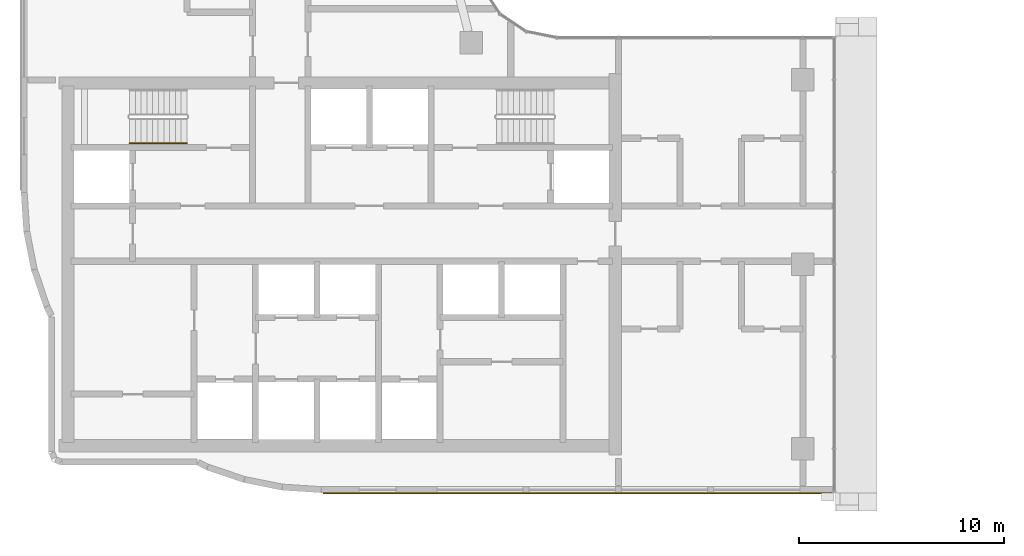
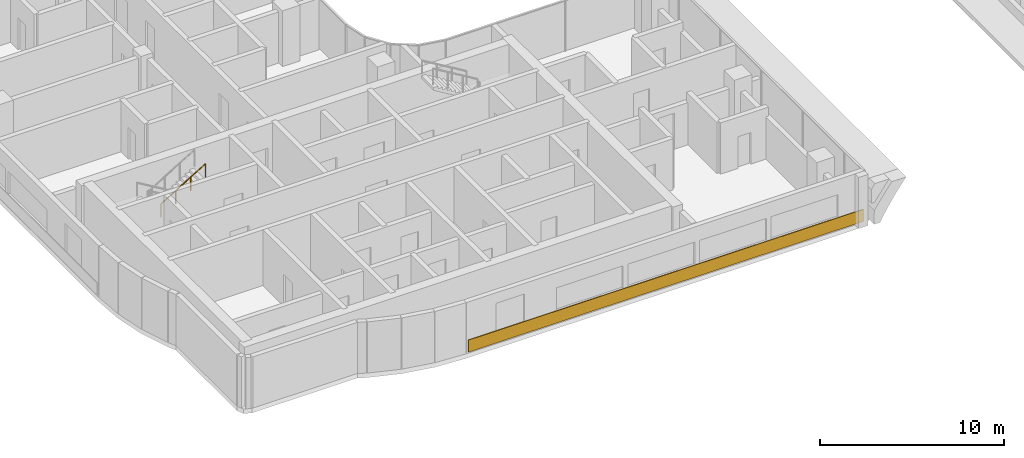
# One storey, part 17 of 23: 1 covering, 1 railing.
"""IFC4 building model written with IfcOpenShell, lengths in metres."""

from ifc_helpers import new_model, si_unit, direction, frame, origin, origin_2d, place, context, subcontext, project, spatial, rectangle, circle, extrude, material, layer, layer_set, type_object, element, save


model = new_model("IFC4")

# Units and contexts
model_context = context("Model", 3, precision=1e-05, world=origin(), true_north=direction((0.0, 1.0)))
body_context = subcontext(model_context, "Body", "Model", "MODEL_VIEW")
ifc_project = project(units=[si_unit("LENGTHUNIT", "METRE"), si_unit("AREAUNIT", "SQUARE_METRE"), si_unit("VOLUMEUNIT", "CUBIC_METRE"), si_unit("PLANEANGLEUNIT", "RADIAN"), si_unit("MASSUNIT", "GRAM", prefix="KILO")], contexts=[model_context])

# Site, building, storey
site_placement = place(None, origin())
site = spatial("IfcSite", under=ifc_project, at=site_placement, CompositionType="ELEMENT")
building_placement = place(site_placement, origin())
building = spatial("IfcBuilding", under=site, at=building_placement, Name="Ogive Portal Towers", CompositionType="ELEMENT")
storey_placement = place(building_placement, frame((0.0, 0.0, 175.5)))
storey = spatial("IfcBuildingStorey", under=building, at=storey_placement, Name="L43", CompositionType="ELEMENT", Elevation=175.5)

# Railing
ifc_material_1 = material(Name="Stainless steel handrail", Category="steel")
railing_type = type_object("IfcRailingType", Name="INT-HANDRAIL", PredefinedType="HANDRAIL", material=ifc_material_1)
railing_placement = place(storey_placement, frame((34.64990234375, 36.39990234375, 2.01806640625)))
element("IfcRailing", 1, at=railing_placement, inside=storey, type_object=railing_type, Name="L43 ST-A1 stair handrail 2", PredefinedType="HANDRAIL", context=body_context, shape_type="SweptSolid", body=[
    extrude(circle(Radius=0.02392578125, at=origin_2d()), frame((0.0, 0.0, 0.8759765625), z_axis=(0.857242210791, 0.0, 0.514913383045), x_axis=(0.0, 1.0, 0.0)), (0.0, 0.0, 1.0), 3.266357421875),
    extrude(circle(Radius=0.02099609375, at=origin_2d()), origin(), (0.0, 0.0, 1.0), 0.851806640625),
    extrude(circle(Radius=0.02099609375, at=origin_2d()), frame((0.933349609375, 0.0, 0.560546875)), (0.0, 0.0, 1.0), 0.851806640625),
    extrude(circle(Radius=0.02099609375, at=origin_2d()), frame((1.86669921875, 0.0, 1.121337890625)), (0.0, 0.0, 1.0), 0.851806640625),
    extrude(circle(Radius=0.02099609375, at=origin_2d()), frame((2.800048828125, 0.0, 1.681884765625)), (0.0, 0.0, 1.0), 0.851806640625),
])

# Covering
ifc_material_2 = material(Name="Limestone cladding on lightweight block wall", Category="masonry")
ifc_layer = layer(ifc_material_2, 0.050048828125)
ifc_layer_set = layer_set([ifc_layer], Name="SCREEN PERFORATED STONE")
covering_type = type_object("IfcCoveringType", Name="SCREEN PERFORATED STONE", PredefinedType="CLADDING", material=ifc_layer_set)
covering_placement = place(storey_placement, frame((56.514892578125, 19.330078125, 0.10009765625), z_axis=(0.0, 0.0, 1.0), x_axis=(1.0, 0.0, 0.0)))
element("IfcCovering", 2, at=covering_placement, inside=storey, type_object=covering_type, Name="Tracery screen", PredefinedType="CLADDING", context=body_context, shape_type="SweptSolid", body=[
    extrude(rectangle(XDim=24.81005859375, YDim=0.050048828125, at=origin_2d()), origin(), (0.0, 0.0, 1.0), 0.800048828125),
])

save(model, "model.ifc")
